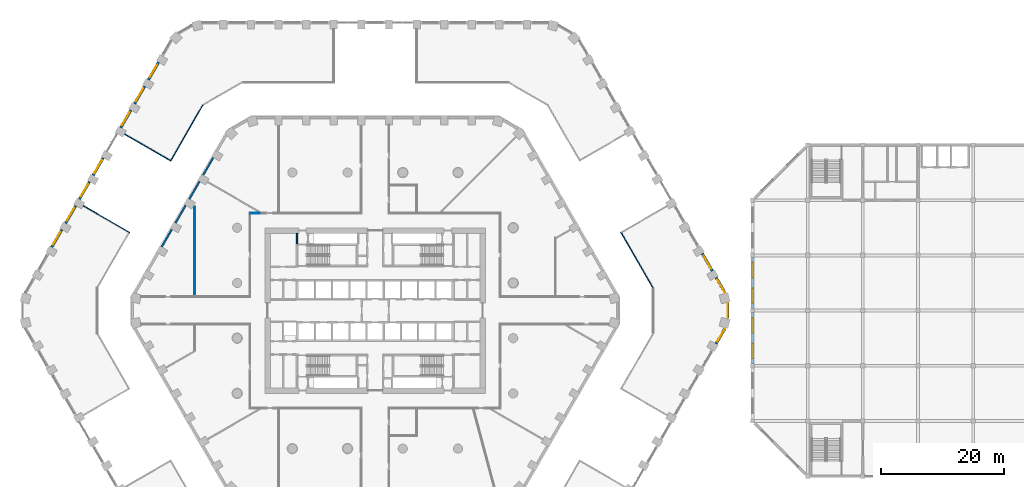
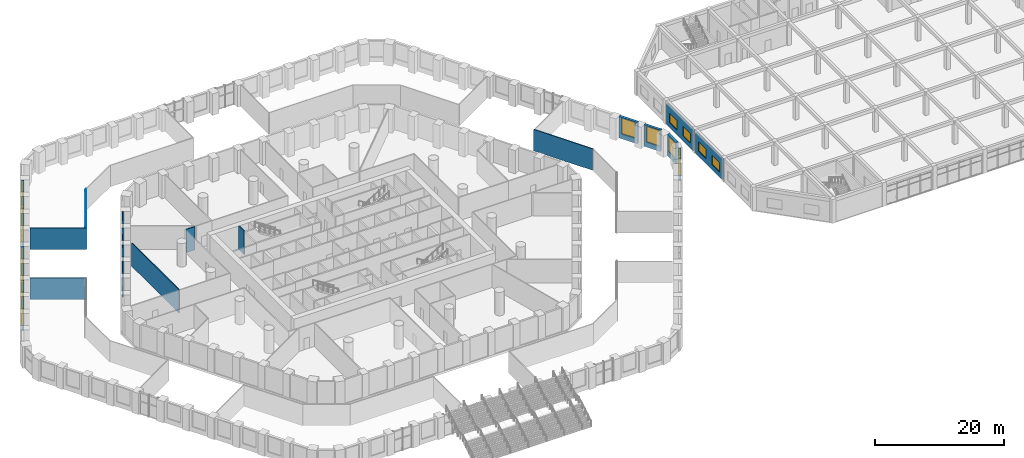
# One storey, part 23 of 42: 24 walls, 15 windows, 15 openings.
"""IFC4 building model written with IfcOpenShell, lengths in metres."""

from ifc_helpers import new_model, si_unit, direction, frame, frame_2d, origin, place, context, subcontext, project, spatial, rectangle, extrude, material, layer, layer_set, type_object, element, fill, save


model = new_model("IFC4")

# Units and contexts
model_context = context("Model", 3, precision=1e-05, world=origin(), true_north=direction((0.0, 1.0)))
body_context = subcontext(model_context, "Body", "Model", "MODEL_VIEW")
ifc_project = project(units=[si_unit("LENGTHUNIT", "METRE"), si_unit("AREAUNIT", "SQUARE_METRE"), si_unit("VOLUMEUNIT", "CUBIC_METRE"), si_unit("PLANEANGLEUNIT", "RADIAN"), si_unit("MASSUNIT", "GRAM", prefix="KILO")], contexts=[model_context])

# Site, building, storey
site_placement = place(None, origin())
site = spatial("IfcSite", under=ifc_project, at=site_placement, CompositionType="ELEMENT")
building_placement = place(site_placement, origin())
building = spatial("IfcBuilding", under=site, at=building_placement, Name="Dhurran Vertical Campus", CompositionType="ELEMENT")
storey_placement = place(building_placement, frame((0.0, 0.0, 6.0)))
storey = spatial("IfcBuildingStorey", under=building, at=storey_placement, Name="L01", CompositionType="ELEMENT", Elevation=6.0)

# Wall, opening, window
ifc_material_1 = material(Name="Precast concrete C50/60", Category="concrete")
ifc_layer_1 = layer(ifc_material_1, 0.449951171875)
ifc_layer_set_1 = layer_set([ifc_layer_1], Name="Precast concrete C50/60")
wall_type_1 = type_object("IfcWallType", Name="Precast base wall 450", PredefinedType="SOLIDWALL", material=ifc_layer_set_1)
wall_1_placement = place(storey_placement, frame((55.579345703125, -5.41455078125, 0.0), z_axis=(0.0, 0.0, 1.0), x_axis=(0.500030648271, 0.866007708274, 0.0)))
wall_1 = element("IfcWall", 1, at=wall_1_placement, inside=storey, type_object=wall_type_1, Name="EW2 L01.24 ring", PredefinedType="SOLIDWALL", context=body_context, shape_type="SweptSolid", body=[
    extrude(rectangle(XDim=2.948486328125, YDim=0.449951171875, at=frame_2d((1.47412109375, 0.0))), origin(), (0.0, 0.0, 1.0), 4.050048828125),
])
opening_1_placement = place(wall_1_placement, frame((0.449462890625, 0.0, 0.89990234375)))
opening_1 = element("IfcOpeningElement", 2, at=opening_1_placement, cuts=wall_1, Name="Opening WT2", PredefinedType="OPENING", context=body_context, shape_type="SweptSolid", body=[
    extrude(rectangle(XDim=2.39990234375, YDim=3.0, at=frame_2d((1.199951171875, 1.5))), frame((0.0, 0.23486328125, 0.0), z_axis=(0.0, -1.0, 0.0), x_axis=(1.0, 0.0, 0.0)), (0.0, 0.0, 1.0), 0.469970703125),
])
ifc_material_2 = material(Name="Aluminium frame with solar-control glass", Category="aluminium")
window_type_1 = type_object("IfcWindowType", Name="Podium window 2400 x 3000", PartitioningType="SINGLE_PANEL", PredefinedType="WINDOW", material=ifc_material_2)
window_1_placement = place(opening_1_placement, origin())
window_1 = element("IfcWindow", 3, at=window_1_placement, inside=storey, type_object=window_type_1, Name="WT2 L01.24 ring", OverallHeight=3.0, OverallWidth=2.39990234375, PartitioningType="SINGLE_PANEL", PredefinedType="WINDOW", context=body_context, shape_type="SweptSolid", body=[
    extrude(rectangle(XDim=2.39990234375, YDim=3.0, at=frame_2d((1.199951171875, 1.5))), frame((0.0, 0.030029296875, 0.0), z_axis=(0.0, -1.0, 0.0), x_axis=(1.0, 0.0, 0.0)), (0.0, 0.0, 1.0), 0.06005859375),
])
fill(opening_1, window_1)

wall_2_placement = place(storey_placement, frame((57.47216796875, -1.299072265625, 0.0), z_axis=(0.0, 0.0, 1.0), x_axis=(0.0, 1.0, 0.0)))
wall_2 = element("IfcWall", 4, at=wall_2_placement, inside=storey, type_object=wall_type_1, Name="EW2 L01.25 ring", PredefinedType="SOLIDWALL", context=body_context, shape_type="SweptSolid", body=[
    extrude(rectangle(XDim=2.59814453125, YDim=0.449951171875, at=frame_2d((1.299072265625, 0.0))), origin(), (0.0, 0.0, 1.0), 4.050048828125),
])
opening_2_placement = place(wall_2_placement, frame((0.09912109375, 0.0, 0.89990234375)))
opening_2 = element("IfcOpeningElement", 5, at=opening_2_placement, cuts=wall_2, Name="Opening WT2", PredefinedType="OPENING", context=body_context, shape_type="SweptSolid", body=[
    extrude(rectangle(XDim=2.39990234375, YDim=3.0, at=frame_2d((1.199951171875, 1.5))), frame((0.0, 0.23486328125, 0.0), z_axis=(0.0, -1.0, 0.0), x_axis=(1.0, 0.0, 0.0)), (0.0, 0.0, 1.0), 0.469970703125),
])
window_2_placement = place(opening_2_placement, origin())
window_2 = element("IfcWindow", 6, at=window_2_placement, inside=storey, type_object=window_type_1, Name="WT2 L01.25 ring", OverallHeight=3.0, OverallWidth=2.39990234375, PartitioningType="SINGLE_PANEL", PredefinedType="WINDOW", context=body_context, shape_type="SweptSolid", body=[
    extrude(rectangle(XDim=2.39990234375, YDim=3.0, at=frame_2d((1.199951171875, 1.5))), frame((0.0, 0.030029296875, 0.0), z_axis=(0.0, -1.0, 0.0), x_axis=(1.0, 0.0, 0.0)), (0.0, 0.0, 1.0), 0.06005859375),
])
fill(opening_2, window_2)

wall_3_placement = place(storey_placement, frame((57.0537109375, 2.861083984375, 0.0), z_axis=(0.0, 0.0, 1.0), x_axis=(-0.500030648271, 0.866007708274, 0.0)))
wall_3 = element("IfcWall", 7, at=wall_3_placement, inside=storey, type_object=wall_type_1, Name="EW2 L01.26 ring", PredefinedType="SOLIDWALL", context=body_context, shape_type="SweptSolid", body=[
    extrude(rectangle(XDim=2.948486328125, YDim=0.449951171875, at=frame_2d((1.47412109375, 0.0))), origin(), (0.0, 0.0, 1.0), 4.050048828125),
])
opening_3_placement = place(wall_3_placement, frame((0.09912109375, 0.0, 0.89990234375)))
opening_3 = element("IfcOpeningElement", 8, at=opening_3_placement, cuts=wall_3, Name="Opening WT2", PredefinedType="OPENING", context=body_context, shape_type="SweptSolid", body=[
    extrude(rectangle(XDim=2.39990234375, YDim=3.0, at=frame_2d((1.199951171875, 1.5))), frame((0.0, 0.23486328125, 0.0), z_axis=(0.0, -1.0, 0.0), x_axis=(1.0, 0.0, 0.0)), (0.0, 0.0, 1.0), 0.469970703125),
])
window_3_placement = place(opening_3_placement, origin())
window_3 = element("IfcWindow", 9, at=window_3_placement, inside=storey, type_object=window_type_1, Name="WT2 L01.26 ring", OverallHeight=3.0, OverallWidth=2.39990234375, PartitioningType="SINGLE_PANEL", PredefinedType="WINDOW", context=body_context, shape_type="SweptSolid", body=[
    extrude(rectangle(XDim=2.39990234375, YDim=3.0, at=frame_2d((1.199951171875, 1.5))), frame((0.0, 0.030029296875, 0.0), z_axis=(0.0, -1.0, 0.0), x_axis=(1.0, 0.0, 0.0)), (0.0, 0.0, 1.0), 0.06005859375),
])
fill(opening_3, window_3)

wall_4_placement = place(storey_placement, frame((54.978759765625, 6.45458984375, 0.0), z_axis=(0.0, 0.0, 1.0), x_axis=(-0.49995947208, 0.866048801325, 0.0)))
wall_4 = element("IfcWall", 10, at=wall_4_placement, inside=storey, type_object=wall_type_1, Name="EW2 L01.27 ring", PredefinedType="SOLIDWALL", context=body_context, shape_type="SweptSolid", body=[
    extrude(rectangle(XDim=3.299072265625, YDim=0.449951171875, at=frame_2d((1.6494140625, 0.0))), origin(), (0.0, 0.0, 1.0), 4.050048828125),
])
opening_4_placement = place(wall_4_placement, frame((0.449462890625, 0.0, 0.89990234375)))
opening_4 = element("IfcOpeningElement", 11, at=opening_4_placement, cuts=wall_4, Name="Opening WT2", PredefinedType="OPENING", context=body_context, shape_type="SweptSolid", body=[
    extrude(rectangle(XDim=2.39990234375, YDim=3.0, at=frame_2d((1.199951171875, 1.5))), frame((0.0, 0.23486328125, 0.0), z_axis=(0.0, -1.0, 0.0), x_axis=(1.0, 0.0, 0.0)), (0.0, 0.0, 1.0), 0.469970703125),
])
window_4_placement = place(opening_4_placement, origin())
window_4 = element("IfcWindow", 12, at=window_4_placement, inside=storey, type_object=window_type_1, Name="WT2 L01.27 ring", OverallHeight=3.0, OverallWidth=2.39990234375, PartitioningType="SINGLE_PANEL", PredefinedType="WINDOW", context=body_context, shape_type="SweptSolid", body=[
    extrude(rectangle(XDim=2.39990234375, YDim=3.0, at=frame_2d((1.199951171875, 1.5))), frame((0.0, 0.030029296875, 0.0), z_axis=(0.0, -1.0, 0.0), x_axis=(1.0, 0.0, 0.0)), (0.0, 0.0, 1.0), 0.06005859375),
])
fill(opening_4, window_4)

wall_5_placement = place(storey_placement, frame((-35.329345703125, 40.488525390625, 0.0), z_axis=(0.0, 0.0, 1.0), x_axis=(-0.499991515992, -0.866030301974, 0.0)))
wall_5 = element("IfcWall", 13, at=wall_5_placement, inside=storey, type_object=wall_type_1, Name="EW2 L01.53 ring", PredefinedType="SOLIDWALL", context=body_context, shape_type="SweptSolid", body=[
    extrude(rectangle(XDim=3.298828125, YDim=0.449951171875, at=frame_2d((1.6494140625, 0.0))), origin(), (0.0, 0.0, 1.0), 4.050048828125),
])
opening_5_placement = place(wall_5_placement, frame((0.449462890625, 0.0, 0.89990234375)))
opening_5 = element("IfcOpeningElement", 14, at=opening_5_placement, cuts=wall_5, Name="Opening WT2", PredefinedType="OPENING", context=body_context, shape_type="SweptSolid", body=[
    extrude(rectangle(XDim=2.39990234375, YDim=3.0, at=frame_2d((1.199951171875, 1.5))), frame((0.0, 0.23486328125, 0.0), z_axis=(0.0, -1.0, 0.0), x_axis=(1.0, 0.0, 0.0)), (0.0, 0.0, 1.0), 0.469970703125),
])
window_5_placement = place(opening_5_placement, origin())
window_5 = element("IfcWindow", 15, at=window_5_placement, inside=storey, type_object=window_type_1, Name="WT2 L01.53 ring", OverallHeight=3.0, OverallWidth=2.39990234375, PartitioningType="SINGLE_PANEL", PredefinedType="WINDOW", context=body_context, shape_type="SweptSolid", body=[
    extrude(rectangle(XDim=2.39990234375, YDim=3.0, at=frame_2d((1.199951171875, 1.5))), frame((0.0, 0.030029296875, 0.0), z_axis=(0.0, -1.0, 0.0), x_axis=(1.0, 0.0, 0.0)), (0.0, 0.0, 1.0), 0.06005859375),
])
fill(opening_5, window_5)

wall_6_placement = place(storey_placement, frame((-37.579345703125, 36.591552734375, 0.0), z_axis=(0.0, 0.0, 1.0), x_axis=(-0.499991515992, -0.866030301974, 0.0)))
wall_6 = element("IfcWall", 16, at=wall_6_placement, inside=storey, type_object=wall_type_1, Name="EW2 L01.54 ring", PredefinedType="SOLIDWALL", context=body_context, shape_type="SweptSolid", body=[
    extrude(rectangle(XDim=3.298828125, YDim=0.449951171875, at=frame_2d((1.6494140625, 0.0))), origin(), (0.0, 0.0, 1.0), 4.050048828125),
])
opening_6_placement = place(wall_6_placement, frame((0.449462890625, 0.0, 0.89990234375)))
opening_6 = element("IfcOpeningElement", 17, at=opening_6_placement, cuts=wall_6, Name="Opening WT2", PredefinedType="OPENING", context=body_context, shape_type="SweptSolid", body=[
    extrude(rectangle(XDim=2.39990234375, YDim=3.0, at=frame_2d((1.199951171875, 1.5))), frame((0.0, 0.23486328125, 0.0), z_axis=(0.0, -1.0, 0.0), x_axis=(1.0, 0.0, 0.0)), (0.0, 0.0, 1.0), 0.469970703125),
])
window_6_placement = place(opening_6_placement, origin())
window_6 = element("IfcWindow", 18, at=window_6_placement, inside=storey, type_object=window_type_1, Name="WT2 L01.54 ring", OverallHeight=3.0, OverallWidth=2.39990234375, PartitioningType="SINGLE_PANEL", PredefinedType="WINDOW", context=body_context, shape_type="SweptSolid", body=[
    extrude(rectangle(XDim=2.39990234375, YDim=3.0, at=frame_2d((1.199951171875, 1.5))), frame((0.0, 0.030029296875, 0.0), z_axis=(0.0, -1.0, 0.0), x_axis=(1.0, 0.0, 0.0)), (0.0, 0.0, 1.0), 0.06005859375),
])
fill(opening_6, window_6)

wall_7_placement = place(storey_placement, frame((-39.829345703125, 32.6943359375, 0.0), z_axis=(0.0, 0.0, 1.0), x_axis=(-0.499991515992, -0.866030301974, 0.0)))
wall_7 = element("IfcWall", 19, at=wall_7_placement, inside=storey, type_object=wall_type_1, Name="EW2 L01.55 ring", PredefinedType="SOLIDWALL", context=body_context, shape_type="SweptSolid", body=[
    extrude(rectangle(XDim=3.298828125, YDim=0.449951171875, at=frame_2d((1.6494140625, 0.0))), origin(), (0.0, 0.0, 1.0), 4.050048828125),
])
opening_7_placement = place(wall_7_placement, frame((0.449462890625, 0.0, 0.89990234375)))
opening_7 = element("IfcOpeningElement", 20, at=opening_7_placement, cuts=wall_7, Name="Opening WT2", PredefinedType="OPENING", context=body_context, shape_type="SweptSolid", body=[
    extrude(rectangle(XDim=2.39990234375, YDim=3.0, at=frame_2d((1.199951171875, 1.5))), frame((0.0, 0.23486328125, 0.0), z_axis=(0.0, -1.0, 0.0), x_axis=(1.0, 0.0, 0.0)), (0.0, 0.0, 1.0), 0.469970703125),
])
window_7_placement = place(opening_7_placement, origin())
window_7 = element("IfcWindow", 21, at=window_7_placement, inside=storey, type_object=window_type_1, Name="WT2 L01.55 ring", OverallHeight=3.0, OverallWidth=2.39990234375, PartitioningType="SINGLE_PANEL", PredefinedType="WINDOW", context=body_context, shape_type="SweptSolid", body=[
    extrude(rectangle(XDim=2.39990234375, YDim=3.0, at=frame_2d((1.199951171875, 1.5))), frame((0.0, 0.030029296875, 0.0), z_axis=(0.0, -1.0, 0.0), x_axis=(1.0, 0.0, 0.0)), (0.0, 0.0, 1.0), 0.06005859375),
])
fill(opening_7, window_7)

wall_8_placement = place(storey_placement, frame((-45.978759765625, 22.043212890625, 0.0), z_axis=(0.0, 0.0, 1.0), x_axis=(0.499991515992, 0.866030301974, 0.0)))
wall_8 = element("IfcWall", 22, at=wall_8_placement, inside=storey, type_object=wall_type_1, Name="EW2 L01.57 ring", PredefinedType="SOLIDWALL", context=body_context, shape_type="SweptSolid", body=[
    extrude(rectangle(XDim=3.298828125, YDim=0.449951171875, at=frame_2d((1.6494140625, 0.0))), origin(), (0.0, 0.0, 1.0), 4.050048828125),
])
opening_8_placement = place(wall_8_placement, frame((0.449462890625, 0.0, 0.89990234375)))
opening_8 = element("IfcOpeningElement", 23, at=opening_8_placement, cuts=wall_8, Name="Opening WT2", PredefinedType="OPENING", context=body_context, shape_type="SweptSolid", body=[
    extrude(rectangle(XDim=2.39990234375, YDim=3.0, at=frame_2d((1.199951171875, 1.5))), frame((0.0, 0.23486328125, 0.0), z_axis=(0.0, -1.0, 0.0), x_axis=(1.0, 0.0, 0.0)), (0.0, 0.0, 1.0), 0.469970703125),
])
window_8_placement = place(opening_8_placement, origin())
window_8 = element("IfcWindow", 24, at=window_8_placement, inside=storey, type_object=window_type_1, Name="WT2 L01.57 ring", OverallHeight=3.0, OverallWidth=2.39990234375, PartitioningType="SINGLE_PANEL", PredefinedType="WINDOW", context=body_context, shape_type="SweptSolid", body=[
    extrude(rectangle(XDim=2.39990234375, YDim=3.0, at=frame_2d((1.199951171875, 1.5))), frame((0.0, 0.030029296875, 0.0), z_axis=(0.0, -1.0, 0.0), x_axis=(1.0, 0.0, 0.0)), (0.0, 0.0, 1.0), 0.06005859375),
])
fill(opening_8, window_8)

wall_9_placement = place(storey_placement, frame((-46.579345703125, 21.0029296875, 0.0), z_axis=(0.0, 0.0, 1.0), x_axis=(-0.499991515992, -0.866030301974, 0.0)))
wall_9 = element("IfcWall", 25, at=wall_9_placement, inside=storey, type_object=wall_type_1, Name="EW2 L01.58 ring", PredefinedType="SOLIDWALL", context=body_context, shape_type="SweptSolid", body=[
    extrude(rectangle(XDim=3.298828125, YDim=0.449951171875, at=frame_2d((1.6494140625, 0.0))), origin(), (0.0, 0.0, 1.0), 4.050048828125),
])
opening_9_placement = place(wall_9_placement, frame((0.449462890625, 0.0, 0.89990234375)))
opening_9 = element("IfcOpeningElement", 26, at=opening_9_placement, cuts=wall_9, Name="Opening WT2", PredefinedType="OPENING", context=body_context, shape_type="SweptSolid", body=[
    extrude(rectangle(XDim=2.39990234375, YDim=3.0, at=frame_2d((1.199951171875, 1.5))), frame((0.0, 0.23486328125, 0.0), z_axis=(0.0, -1.0, 0.0), x_axis=(1.0, 0.0, 0.0)), (0.0, 0.0, 1.0), 0.469970703125),
])
window_9_placement = place(opening_9_placement, origin())
window_9 = element("IfcWindow", 27, at=window_9_placement, inside=storey, type_object=window_type_1, Name="WT2 L01.58 ring", OverallHeight=3.0, OverallWidth=2.39990234375, PartitioningType="SINGLE_PANEL", PredefinedType="WINDOW", context=body_context, shape_type="SweptSolid", body=[
    extrude(rectangle(XDim=2.39990234375, YDim=3.0, at=frame_2d((1.199951171875, 1.5))), frame((0.0, 0.030029296875, 0.0), z_axis=(0.0, -1.0, 0.0), x_axis=(1.0, 0.0, 0.0)), (0.0, 0.0, 1.0), 0.06005859375),
])
fill(opening_9, window_9)

wall_10_placement = place(storey_placement, frame((-48.829345703125, 17.10595703125, 0.0), z_axis=(0.0, 0.0, 1.0), x_axis=(-0.49995947208, -0.866048801325, 0.0)))
wall_10 = element("IfcWall", 28, at=wall_10_placement, inside=storey, type_object=wall_type_1, Name="EW2 L01.59 ring", PredefinedType="SOLIDWALL", context=body_context, shape_type="SweptSolid", body=[
    extrude(rectangle(XDim=3.299072265625, YDim=0.449951171875, at=frame_2d((1.6494140625, 0.0))), origin(), (0.0, 0.0, 1.0), 4.050048828125),
])
opening_10_placement = place(wall_10_placement, frame((0.449462890625, 0.0, 0.89990234375)))
opening_10 = element("IfcOpeningElement", 29, at=opening_10_placement, cuts=wall_10, Name="Opening WT2", PredefinedType="OPENING", context=body_context, shape_type="SweptSolid", body=[
    extrude(rectangle(XDim=2.39990234375, YDim=3.0, at=frame_2d((1.199951171875, 1.5))), frame((0.0, 0.23486328125, 0.0), z_axis=(0.0, -1.0, 0.0), x_axis=(1.0, 0.0, 0.0)), (0.0, 0.0, 1.0), 0.469970703125),
])
window_10_placement = place(opening_10_placement, origin())
window_10 = element("IfcWindow", 30, at=window_10_placement, inside=storey, type_object=window_type_1, Name="WT2 L01.59 ring", OverallHeight=3.0, OverallWidth=2.39990234375, PartitioningType="SINGLE_PANEL", PredefinedType="WINDOW", context=body_context, shape_type="SweptSolid", body=[
    extrude(rectangle(XDim=2.39990234375, YDim=3.0, at=frame_2d((1.199951171875, 1.5))), frame((0.0, 0.030029296875, 0.0), z_axis=(0.0, -1.0, 0.0), x_axis=(1.0, 0.0, 0.0)), (0.0, 0.0, 1.0), 0.06005859375),
])
fill(opening_10, window_10)

wall_11_placement = place(storey_placement, frame((-51.079345703125, 13.208740234375, 0.0), z_axis=(0.0, 0.0, 1.0), x_axis=(-0.499991515992, -0.866030301974, 0.0)))
wall_11 = element("IfcWall", 31, at=wall_11_placement, inside=storey, type_object=wall_type_1, Name="EW2 L01.60 ring", PredefinedType="SOLIDWALL", context=body_context, shape_type="SweptSolid", body=[
    extrude(rectangle(XDim=3.298828125, YDim=0.449951171875, at=frame_2d((1.6494140625, 0.0))), origin(), (0.0, 0.0, 1.0), 4.050048828125),
])
opening_11_placement = place(wall_11_placement, frame((0.449462890625, 0.0, 0.89990234375)))
opening_11 = element("IfcOpeningElement", 32, at=opening_11_placement, cuts=wall_11, Name="Opening WT2", PredefinedType="OPENING", context=body_context, shape_type="SweptSolid", body=[
    extrude(rectangle(XDim=2.39990234375, YDim=3.0, at=frame_2d((1.199951171875, 1.5))), frame((0.0, 0.23486328125, 0.0), z_axis=(0.0, -1.0, 0.0), x_axis=(1.0, 0.0, 0.0)), (0.0, 0.0, 1.0), 0.469970703125),
])
window_11_placement = place(opening_11_placement, origin())
window_11 = element("IfcWindow", 33, at=window_11_placement, inside=storey, type_object=window_type_1, Name="WT2 L01.60 ring", OverallHeight=3.0, OverallWidth=2.39990234375, PartitioningType="SINGLE_PANEL", PredefinedType="WINDOW", context=body_context, shape_type="SweptSolid", body=[
    extrude(rectangle(XDim=2.39990234375, YDim=3.0, at=frame_2d((1.199951171875, 1.5))), frame((0.0, 0.030029296875, 0.0), z_axis=(0.0, -1.0, 0.0), x_axis=(1.0, 0.0, 0.0)), (0.0, 0.0, 1.0), 0.06005859375),
])
fill(opening_11, window_11)

# Walls
ifc_material_3 = material(Name="Precast concrete C50/60", Category="concrete")
ifc_layer_2 = layer(ifc_material_3, 0.300048828125)
ifc_layer_set_2 = layer_set([ifc_layer_2], Name="Precast concrete C50/60")
wall_type_2 = type_object("IfcWallType", Name="Precast interior wall 300", PredefinedType="SOLIDWALL", material=ifc_layer_set_2)
for number, where, z_axis, x_axis, name in (
    (34, (-26.394287109375, 24.9375, 0.0), (0.0, 0.0, 1.0), (-0.499991515992, -0.866030301974, 0.0), "EW5 L01.37"),
    (35, (-28.644287109375, 21.04052734375, 0.0), (0.0, 0.0, 1.0), (-0.499991515992, -0.866030301974, 0.0), "EW5 L01.38"),
    (36, (-30.894287109375, 17.143310546875, 0.0), (0.0, 0.0, 1.0), (-0.499991515992, -0.866030301974, 0.0), "EW5 L01.39"),
    (37, (-33.144287109375, 13.246337890625, 0.0), (0.0, 0.0, 1.0), (-0.499991515992, -0.866030301974, 0.0), "EW5 L01.40"),
):
    element("IfcWall", number, at=place(storey_placement, frame(where, z_axis=z_axis, x_axis=x_axis)), inside=storey, type_object=wall_type_2, Name=name, PredefinedType="SOLIDWALL", context=body_context, shape_type="SweptSolid", body=[
        extrude(rectangle(XDim=3.298828125, YDim=0.300048828125, at=frame_2d((1.6494140625, 0.0))), origin(), (0.0, 0.0, 1.0), 4.39990234375),
    ])
ifc_material_4 = material(Name="Fire-rated masonry blockwork", Category="masonry")
ifc_layer_3 = layer(ifc_material_4, 0.199951171875)
ifc_layer_set_3 = layer_set([ifc_layer_3], Name="Fire-rated masonry blockwork")
wall_type_3 = type_object("IfcWallType", Name="co-FIRE-PARTITION-200", PredefinedType="PARTITIONING", material=ifc_layer_set_3)
wall_12_placement = place(storey_placement, frame((-12.75, 10.89990234375, 0.0), z_axis=(0.0, 0.0, 1.0), x_axis=(0.0, 1.0, 0.0)))
element("IfcWall", 38, at=wall_12_placement, inside=storey, type_object=wall_type_3, Name="Core partition pass-ST1-o L01", PredefinedType="PARTITIONING", context=body_context, shape_type="SweptSolid", body=[
    extrude(rectangle(XDim=1.7001953125, YDim=0.199951171875, at=frame_2d((0.85009765625, 0.0))), origin(), (0.0, 0.0, 1.0), 4.39990234375),
])
ifc_material_5 = material(Name="Gypsum board corridor wall on steel studs", Category="steel")
ifc_layer_4 = layer(ifc_material_5, 0.14990234375)
ifc_layer_set_4 = layer_set([ifc_layer_4], Name="Gypsum board corridor wall on steel studs")
wall_type_4 = type_object("IfcWallType", Name="fl-CW-150 corridor wall", PredefinedType="PARTITIONING", material=ifc_layer_set_4)
wall_13_placement = place(storey_placement, frame((-40.009033203125, 12.70654296875, 0.0), z_axis=(0.0, 0.0, 1.0), x_axis=(-0.866024693403, 0.500001230415, 0.0)))
element("IfcWall", 39, at=wall_13_placement, inside=storey, type_object=wall_type_4, Name="Partition 01-R02", PredefinedType="PARTITIONING", context=body_context, shape_type="SweptSolid", body=[
    extrude(rectangle(XDim=8.7431640625, YDim=0.14990234375, at=frame_2d((4.37158203125, 0.0))), origin(), (0.0, 0.0, 1.0), 4.050048828125),
])
wall_14_placement = place(storey_placement, frame((-40.83056640625, 28.77001953125, 0.0), z_axis=(0.0, 0.0, 1.0), x_axis=(0.866017712198, -0.500013321982, 0.0)))
element("IfcWall", 40, at=wall_14_placement, inside=storey, type_object=wall_type_4, Name="Partition 01-R07", PredefinedType="PARTITIONING", context=body_context, shape_type="SweptSolid", body=[
    extrude(rectangle(XDim=8.742919921875, YDim=0.14990234375, at=frame_2d((4.37158203125, 0.0))), origin(), (0.0, 0.0, 1.0), 4.050048828125),
])
wall_15_placement = place(storey_placement, frame((-33.28662109375, 24.5009765625, 0.0), z_axis=(0.0, 0.0, 1.0), x_axis=(0.500064997195, 0.865987874384, 0.0)))
element("IfcWall", 41, at=wall_15_placement, inside=storey, type_object=wall_type_4, Name="Partition 01-R11", PredefinedType="PARTITIONING", context=body_context, shape_type="SweptSolid", body=[
    extrude(rectangle(XDim=10.44677734375, YDim=0.14990234375, at=frame_2d((5.223388671875, 0.0))), origin(), (0.0, 0.0, 1.0), 4.050048828125),
])
wall_16_placement = place(storey_placement, frame((40.03662109375, 12.80908203125, 0.0), z_axis=(0.0, 0.0, 1.0), x_axis=(0.499965106835, -0.866045548425, 0.0)))
element("IfcWall", 42, at=wall_16_placement, inside=storey, type_object=wall_type_4, Name="Partition 01-R80", PredefinedType="PARTITIONING", context=body_context, shape_type="SweptSolid", body=[
    extrude(rectangle(XDim=10.596435546875, YDim=0.14990234375, at=frame_2d((5.29833984375, 0.0))), origin(), (0.0, 0.0, 1.0), 4.050048828125),
])
wall_17_placement = place(storey_placement, frame((-18.81494140625, 15.89990234375, 0.0), z_axis=(0.0, 0.0, 1.0), x_axis=(-1.0, 0.0, 0.0)))
element("IfcWall", 43, at=wall_17_placement, inside=storey, type_object=wall_type_4, Name="Partition 01-13", PredefinedType="PARTITIONING", context=body_context, shape_type="SweptSolid", body=[
    extrude(rectangle(XDim=1.510009765625, YDim=0.14990234375, at=frame_2d((0.7548828125, 0.0))), origin(), (0.0, 0.0, 1.0), 4.39990234375),
])
ifc_material_6 = material(Name="Gypsum board partition on steel studs", Category="steel")
ifc_layer_5 = layer(ifc_material_6, 0.14990234375)
ifc_layer_set_5 = layer_set([ifc_layer_5], Name="Gypsum board partition on steel studs")
wall_type_5 = type_object("IfcWallType", Name="fl-PW-150 fixed partition", PredefinedType="PARTITIONING", material=ifc_layer_set_5)
wall_18_placement = place(storey_placement, frame((-29.39990234375, 16.89892578125, 0.0), z_axis=(0.0, 0.0, 1.0), x_axis=(0.0, -1.0, 0.0)))
element("IfcWall", 44, at=wall_18_placement, inside=storey, type_object=wall_type_5, Name="Partition 01-06", PredefinedType="PARTITIONING", context=body_context, shape_type="SweptSolid", body=[
    extrude(rectangle(XDim=14.573974609375, YDim=0.14990234375, at=frame_2d((7.287109375, 0.0))), origin(), (0.0, 0.0, 1.0), 4.39990234375),
])

# Wall, openings, windows
ifc_material_7 = material(Name="Precast concrete C40/50", Category="concrete")
ifc_layer_6 = layer(ifc_material_7, 0.300048828125)
ifc_layer_set_6 = layer_set([ifc_layer_6], Name="Precast concrete C40/50")
wall_type_6 = type_object("IfcWallType", Name="hl-external wall precast 300", PredefinedType="SOLIDWALL", material=ifc_layer_set_6)
wall_19_placement = place(storey_placement, frame((61.5, 8.64990234375, 0.0), z_axis=(0.0, 0.0, 1.0), x_axis=(0.0, -1.0, 0.0)))
wall_19 = element("IfcWall", 45, at=wall_19_placement, inside=storey, type_object=wall_type_6, Name="Hall external wall L01-040", PredefinedType="SOLIDWALL", context=body_context, shape_type="SweptSolid", body=[
    extrude(rectangle(XDim=8.2998046875, YDim=0.300048828125, at=frame_2d((4.14990234375, 0.0))), origin(), (0.0, 0.0, 1.0), 3.89990234375),
])
opening_12_placement = place(wall_19_placement, frame((0.875, 0.0, 0.89990234375)))
opening_12 = element("IfcOpeningElement", 46, at=opening_12_placement, cuts=wall_19, Name="Opening HWN1", PredefinedType="OPENING", context=body_context, shape_type="SweptSolid", body=[
    extrude(rectangle(XDim=2.39990234375, YDim=1.800048828125, at=frame_2d((1.199951171875, 0.89990234375))), frame((0.0, 0.159912109375, 0.0), z_axis=(0.0, -1.0, 0.0), x_axis=(1.0, 0.0, 0.0)), (0.0, 0.0, 1.0), 0.320068359375),
])
opening_13_placement = place(wall_19_placement, frame((5.02490234375, 0.0, 0.89990234375)))
opening_13 = element("IfcOpeningElement", 47, at=opening_13_placement, cuts=wall_19, Name="Opening HWN1", PredefinedType="OPENING", context=body_context, shape_type="SweptSolid", body=[
    extrude(rectangle(XDim=2.39990234375, YDim=1.800048828125, at=frame_2d((1.199951171875, 0.89990234375))), frame((0.0, 0.159912109375, 0.0), z_axis=(0.0, -1.0, 0.0), x_axis=(1.0, 0.0, 0.0)), (0.0, 0.0, 1.0), 0.320068359375),
])
ifc_material_8 = material(Name="Aluminium", Category="aluminium")
window_type_2 = type_object("IfcWindowType", Name="hl-window 2400x1800", PartitioningType="SINGLE_PANEL", PredefinedType="WINDOW", material=ifc_material_8)
window_12_placement = place(opening_12_placement, origin())
window_12 = element("IfcWindow", 48, at=window_12_placement, inside=storey, type_object=window_type_2, Name="Hall window L01-027", OverallHeight=1.800048828125, OverallWidth=2.39990234375, PartitioningType="SINGLE_PANEL", PredefinedType="WINDOW", context=body_context, shape_type="SweptSolid", body=[
    extrude(rectangle(XDim=2.39990234375, YDim=1.800048828125, at=frame_2d((1.199951171875, 0.89990234375))), frame((0.0, 0.030029296875, 0.0), z_axis=(0.0, -1.0, 0.0), x_axis=(1.0, 0.0, 0.0)), (0.0, 0.0, 1.0), 0.06005859375),
])
fill(opening_12, window_12)
window_13_placement = place(opening_13_placement, origin())
window_13 = element("IfcWindow", 49, at=window_13_placement, inside=storey, type_object=window_type_2, Name="Hall window L01-028", OverallHeight=1.800048828125, OverallWidth=2.39990234375, PartitioningType="SINGLE_PANEL", PredefinedType="WINDOW", context=body_context, shape_type="SweptSolid", body=[
    extrude(rectangle(XDim=2.39990234375, YDim=1.800048828125, at=frame_2d((1.199951171875, 0.89990234375))), frame((0.0, 0.030029296875, 0.0), z_axis=(0.0, -1.0, 0.0), x_axis=(1.0, 0.0, 0.0)), (0.0, 0.0, 1.0), 0.06005859375),
])
fill(opening_13, window_13)

wall_20_placement = place(storey_placement, frame((61.5, -0.35009765625, 0.0), z_axis=(0.0, 0.0, 1.0), x_axis=(0.0, -1.0, 0.0)))
wall_20 = element("IfcWall", 50, at=wall_20_placement, inside=storey, type_object=wall_type_6, Name="Hall external wall L01-042", PredefinedType="SOLIDWALL", context=body_context, shape_type="SweptSolid", body=[
    extrude(rectangle(XDim=8.2998046875, YDim=0.300048828125, at=frame_2d((4.14990234375, 0.0))), origin(), (0.0, 0.0, 1.0), 3.89990234375),
])
opening_14_placement = place(wall_20_placement, frame((0.875, 0.0, 0.89990234375)))
opening_14 = element("IfcOpeningElement", 51, at=opening_14_placement, cuts=wall_20, Name="Opening HWN1", PredefinedType="OPENING", context=body_context, shape_type="SweptSolid", body=[
    extrude(rectangle(XDim=2.39990234375, YDim=1.800048828125, at=frame_2d((1.199951171875, 0.89990234375))), frame((0.0, 0.159912109375, 0.0), z_axis=(0.0, -1.0, 0.0), x_axis=(1.0, 0.0, 0.0)), (0.0, 0.0, 1.0), 0.320068359375),
])
opening_15_placement = place(wall_20_placement, frame((5.02490234375, 0.0, 0.89990234375)))
opening_15 = element("IfcOpeningElement", 52, at=opening_15_placement, cuts=wall_20, Name="Opening HWN1", PredefinedType="OPENING", context=body_context, shape_type="SweptSolid", body=[
    extrude(rectangle(XDim=2.39990234375, YDim=1.800048828125, at=frame_2d((1.199951171875, 0.89990234375))), frame((0.0, 0.159912109375, 0.0), z_axis=(0.0, -1.0, 0.0), x_axis=(1.0, 0.0, 0.0)), (0.0, 0.0, 1.0), 0.320068359375),
])
window_14_placement = place(opening_14_placement, origin())
window_14 = element("IfcWindow", 53, at=window_14_placement, inside=storey, type_object=window_type_2, Name="Hall window L01-029", OverallHeight=1.800048828125, OverallWidth=2.39990234375, PartitioningType="SINGLE_PANEL", PredefinedType="WINDOW", context=body_context, shape_type="SweptSolid", body=[
    extrude(rectangle(XDim=2.39990234375, YDim=1.800048828125, at=frame_2d((1.199951171875, 0.89990234375))), frame((0.0, 0.030029296875, 0.0), z_axis=(0.0, -1.0, 0.0), x_axis=(1.0, 0.0, 0.0)), (0.0, 0.0, 1.0), 0.06005859375),
])
fill(opening_14, window_14)
window_15_placement = place(opening_15_placement, origin())
window_15 = element("IfcWindow", 54, at=window_15_placement, inside=storey, type_object=window_type_2, Name="Hall window L01-030", OverallHeight=1.800048828125, OverallWidth=2.39990234375, PartitioningType="SINGLE_PANEL", PredefinedType="WINDOW", context=body_context, shape_type="SweptSolid", body=[
    extrude(rectangle(XDim=2.39990234375, YDim=1.800048828125, at=frame_2d((1.199951171875, 0.89990234375))), frame((0.0, 0.030029296875, 0.0), z_axis=(0.0, -1.0, 0.0), x_axis=(1.0, 0.0, 0.0)), (0.0, 0.0, 1.0), 0.06005859375),
])
fill(opening_15, window_15)

save(model, "model.ifc")
